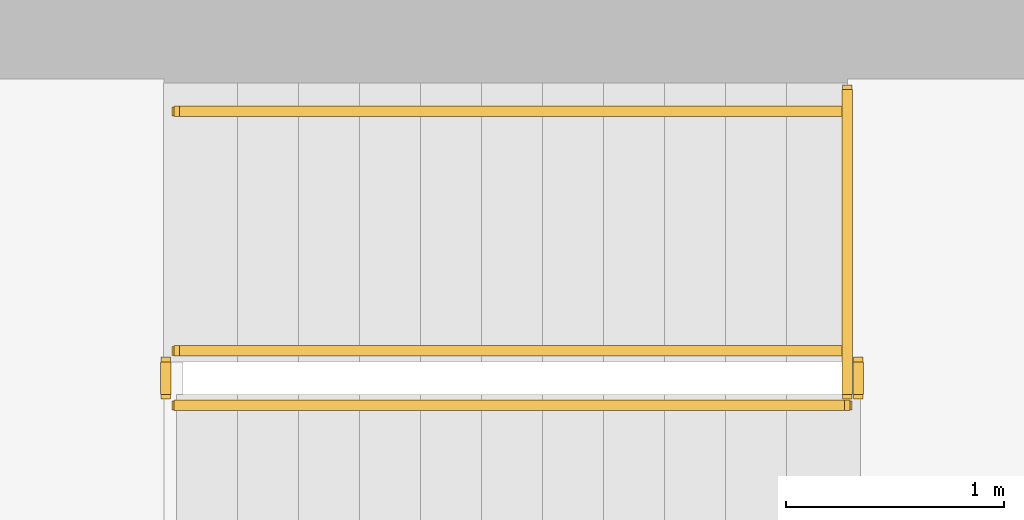
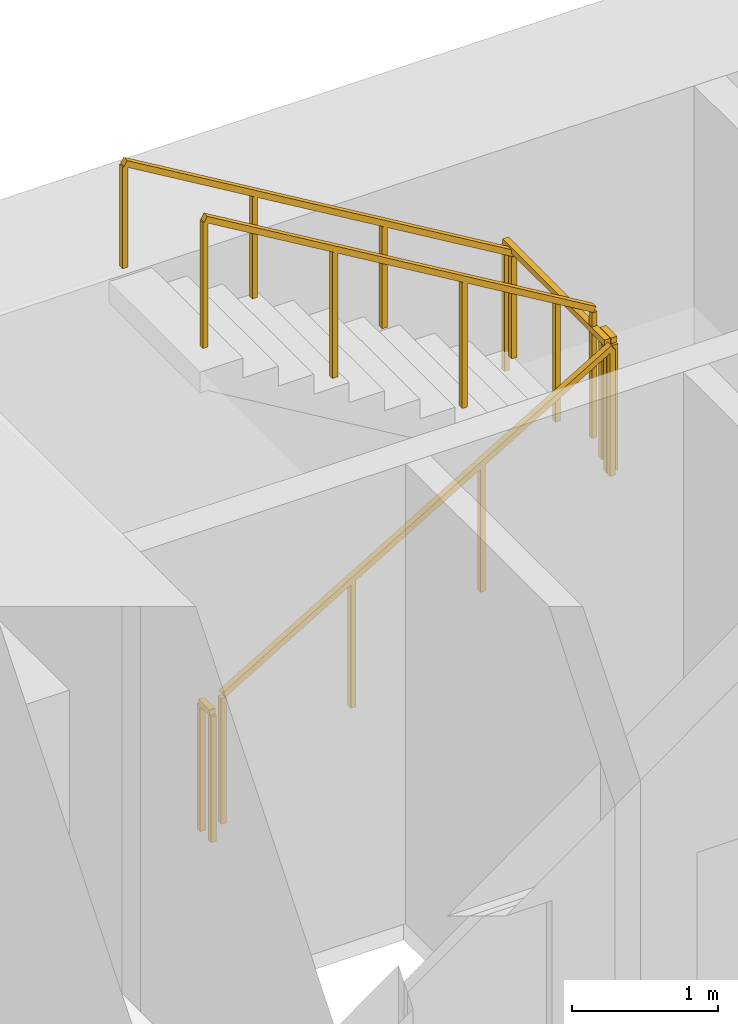
# One storey, part 15 of 16: 6 railings.
"""IFC4 building model written with IfcOpenShell, lengths in metres."""

from ifc_helpers import new_model, si_unit, direction, frame, origin, origin_2d, place, context, subcontext, project, spatial, rectangle, extrude, material, type_object, element, save


model = new_model("IFC4")

# Units and contexts
model_context = context("Model", 3, precision=1e-05, world=origin(), true_north=direction((0.0, 1.0)))
body_context = subcontext(model_context, "Body", "Model", "MODEL_VIEW")
ifc_project = project(units=[si_unit("LENGTHUNIT", "METRE"), si_unit("AREAUNIT", "SQUARE_METRE"), si_unit("VOLUMEUNIT", "CUBIC_METRE"), si_unit("PLANEANGLEUNIT", "RADIAN"), si_unit("MASSUNIT", "GRAM", prefix="KILO")], contexts=[model_context])

# Site, building, storey
site_placement = place(None, origin())
site = spatial("IfcSite", under=ifc_project, at=site_placement, CompositionType="ELEMENT")
building_placement = place(site_placement, origin())
building = spatial("IfcBuilding", under=site, at=building_placement, Name="Sennacour Bend Tower", CompositionType="ELEMENT")
storey_placement = place(building_placement, frame((0.0, 0.0, 123.0)))
storey = spatial("IfcBuildingStorey", under=building, at=storey_placement, Name="L28", CompositionType="ELEMENT", Elevation=123.0)

# Railings
ifc_material = material(Name="Stainless steel", Category="steel")
railing_type_1 = type_object("IfcRailingType", Name="RL-GUARD-1100", PredefinedType="GUARDRAIL", material=ifc_material)
railing_1_placement = place(storey_placement, frame((56.699951171875, 19.85009765625, 0.166748046875)))
element("IfcRailing", 1, at=railing_1_placement, inside=storey, type_object=railing_type_1, Name="L28 SA2 stair guard 1", PredefinedType="GUARDRAIL", context=body_context, shape_type="SweptSolid", body=[
    extrude(rectangle(XDim=0.048095703125, YDim=0.048095703125, at=origin_2d()), frame((0.0, 0.0, 1.076171875), z_axis=(0.859308565015, 0.0, 0.511457515432), x_axis=(0.0, 1.0, 0.0)), (0.0, 0.0, 1.0), 3.58447265625),
    extrude(rectangle(XDim=0.0419921875, YDim=0.0419921875, at=origin_2d()), origin(), (0.0, 0.0, 1.0), 1.052001953125),
    extrude(rectangle(XDim=0.0419921875, YDim=0.0419921875, at=origin_2d()), frame((1.026611328125, 0.0, 0.611083984375)), (0.0, 0.0, 1.0), 1.052001953125),
    extrude(rectangle(XDim=0.0419921875, YDim=0.0419921875, at=origin_2d()), frame((2.053466796875, 0.0, 1.22216796875)), (0.0, 0.0, 1.0), 1.052001953125),
    extrude(rectangle(XDim=0.0419921875, YDim=0.0419921875, at=origin_2d()), frame((3.080078125, 0.0, 1.833251953125)), (0.0, 0.0, 1.0), 1.052001953125),
])
railing_2_placement = place(storey_placement, frame((59.830078125, 19.89990234375, 2.0)))
element("IfcRailing", 2, at=railing_2_placement, inside=storey, type_object=railing_type_1, Name="L28 SA2 stair guard 2", PredefinedType="GUARDRAIL", context=body_context, shape_type="SweptSolid", body=[
    extrude(rectangle(XDim=0.048095703125, YDim=0.048095703125, at=origin_2d()), frame((0.0, 0.0, 1.076171875), z_axis=(0.0, 1.0, 0.0), x_axis=(-1.0, 0.0, 0.0)), (0.0, 0.0, 1.0), 0.150146484375),
    extrude(rectangle(XDim=0.0419921875, YDim=0.0419921875, at=origin_2d()), origin(), (0.0, 0.0, 1.0), 1.052001953125),
    extrude(rectangle(XDim=0.0419921875, YDim=0.0419921875, at=origin_2d()), frame((0.0, 0.150146484375, 0.0)), (0.0, 0.0, 1.0), 1.052001953125),
])
railing_3_placement = place(storey_placement, frame((59.780029296875, 20.10009765625, 2.166748046875)))
element("IfcRailing", 3, at=railing_3_placement, inside=storey, type_object=railing_type_1, Name="L28 SA2 stair guard 4", PredefinedType="GUARDRAIL", context=body_context, shape_type="SweptSolid", body=[
    extrude(rectangle(XDim=0.048095703125, YDim=0.048095703125, at=origin_2d()), frame((0.0, 0.0, 1.076171875), z_axis=(-0.859308565015, 0.0, 0.511457515432), x_axis=(0.0, -1.0, 0.0)), (0.0, 0.0, 1.0), 3.58447265625),
    extrude(rectangle(XDim=0.0419921875, YDim=0.0419921875, at=origin_2d()), origin(), (0.0, 0.0, 1.0), 1.052001953125),
    extrude(rectangle(XDim=0.0419921875, YDim=0.0419921875, at=origin_2d()), frame((-1.026611328125, 0.0, 0.611083984375)), (0.0, 0.0, 1.0), 1.052001953125),
    extrude(rectangle(XDim=0.0419921875, YDim=0.0419921875, at=origin_2d()), frame((-2.053466796875, 0.0, 1.22216796875)), (0.0, 0.0, 1.0), 1.052001953125),
    extrude(rectangle(XDim=0.0419921875, YDim=0.0419921875, at=origin_2d()), frame((-3.080078125, 0.0, 1.833251953125)), (0.0, 0.0, 1.0), 1.052001953125),
])
railing_4_placement = place(storey_placement, frame((56.64990234375, 19.89990234375, 0.0)))
element("IfcRailing", 4, at=railing_4_placement, inside=storey, type_object=railing_type_1, Name="L28 SA2 stair guard 5", PredefinedType="GUARDRAIL", context=body_context, shape_type="SweptSolid", body=[
    extrude(rectangle(XDim=0.048095703125, YDim=0.048095703125, at=origin_2d()), frame((0.0, 0.0, 1.076171875), z_axis=(0.0, 1.0, 0.0), x_axis=(-1.0, 0.0, 0.0)), (0.0, 0.0, 1.0), 0.150146484375),
    extrude(rectangle(XDim=0.0419921875, YDim=0.0419921875, at=origin_2d()), origin(), (0.0, 0.0, 1.0), 1.052001953125),
    extrude(rectangle(XDim=0.0419921875, YDim=0.0419921875, at=origin_2d()), frame((0.0, 0.150146484375, 0.0)), (0.0, 0.0, 1.0), 1.052001953125),
])
railing_5_placement = place(storey_placement, frame((59.780029296875, 19.89990234375, 2.0)))
element("IfcRailing", 5, at=railing_5_placement, inside=storey, type_object=railing_type_1, Name="L28 SA2 landing edge guard 41", PredefinedType="GUARDRAIL", context=body_context, shape_type="SweptSolid", body=[
    extrude(rectangle(XDim=0.048095703125, YDim=0.048095703125, at=origin_2d()), frame((0.0, 0.0, 1.076171875), z_axis=(0.0, 1.0, 0.0), x_axis=(-1.0, 0.0, 0.0)), (0.0, 0.0, 1.0), 1.400146484375),
    extrude(rectangle(XDim=0.0419921875, YDim=0.0419921875, at=origin_2d()), origin(), (0.0, 0.0, 1.0), 1.052001953125),
    extrude(rectangle(XDim=0.0419921875, YDim=0.0419921875, at=origin_2d()), frame((0.0, 0.7001953125, 0.0)), (0.0, 0.0, 1.0), 1.052001953125),
    extrude(rectangle(XDim=0.0419921875, YDim=0.0419921875, at=origin_2d()), frame((0.0, 1.400146484375, 0.0)), (0.0, 0.0, 1.0), 1.052001953125),
])
railing_type_2 = type_object("IfcRailingType", Name="RL-HANDRAIL-900", PredefinedType="HANDRAIL", material=ifc_material)
railing_6_placement = place(storey_placement, frame((59.780029296875, 21.199951171875, 2.166748046875)))
element("IfcRailing", 6, at=railing_6_placement, inside=storey, type_object=railing_type_2, Name="L28 SA2 stair handrail 2", PredefinedType="HANDRAIL", context=body_context, shape_type="SweptSolid", body=[
    extrude(rectangle(XDim=0.048095703125, YDim=0.048095703125, at=origin_2d()), frame((0.0, 0.0, 0.8759765625), z_axis=(-0.859308565015, 0.0, 0.511457515432), x_axis=(0.0, -1.0, 0.0)), (0.0, 0.0, 1.0), 3.58447265625),
    extrude(rectangle(XDim=0.0419921875, YDim=0.0419921875, at=origin_2d()), origin(), (0.0, 0.0, 1.0), 0.851806640625),
    extrude(rectangle(XDim=0.0419921875, YDim=0.0419921875, at=origin_2d()), frame((-1.026611328125, 0.0, 0.611083984375)), (0.0, 0.0, 1.0), 0.851806640625),
    extrude(rectangle(XDim=0.0419921875, YDim=0.0419921875, at=origin_2d()), frame((-2.053466796875, 0.0, 1.22216796875)), (0.0, 0.0, 1.0), 0.851806640625),
    extrude(rectangle(XDim=0.0419921875, YDim=0.0419921875, at=origin_2d()), frame((-3.080078125, 0.0, 1.833251953125)), (0.0, 0.0, 1.0), 0.851806640625),
])

save(model, "model.ifc")
